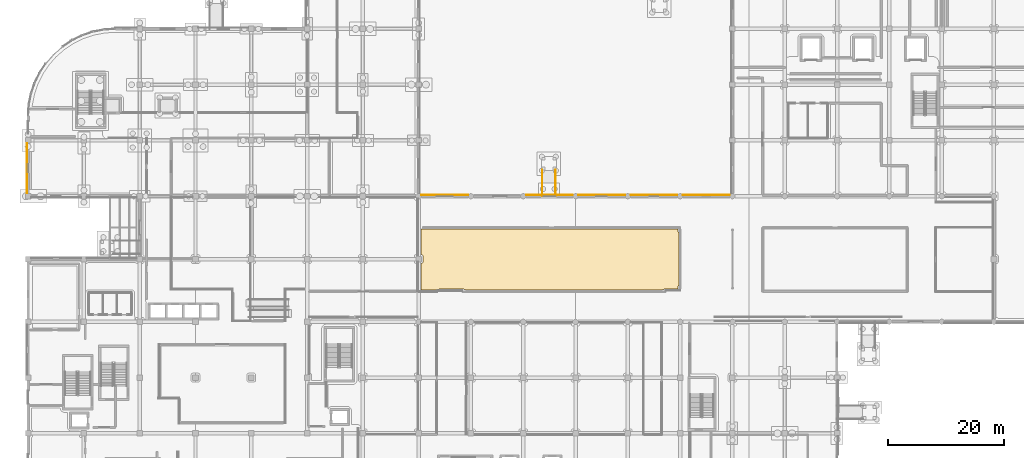
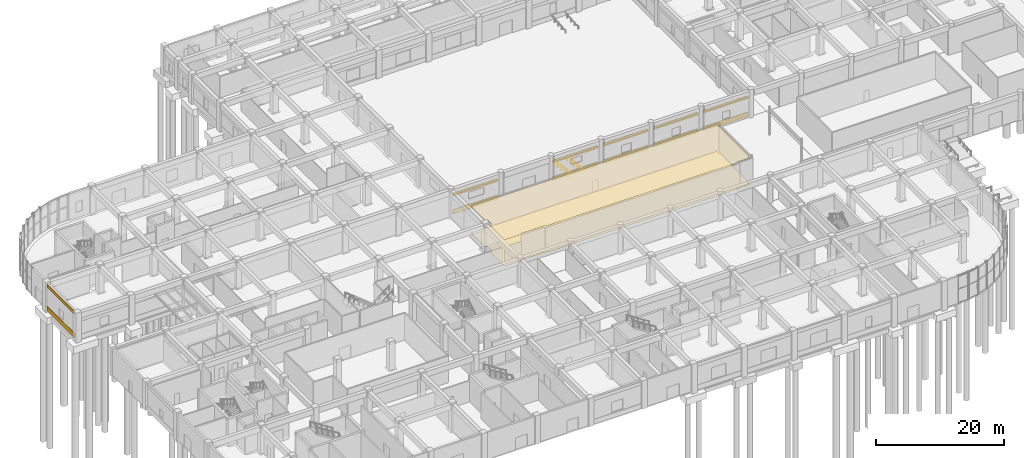
# One storey, part 60 of 74: 14 coverings, 2 railings.
"""IFC4 building model written with IfcOpenShell, lengths in metres."""

from ifc_helpers import new_model, si_unit, direction, frame, origin, origin_2d, place, context, subcontext, project, spatial, polyline, rectangle, circle, outline, extrude, material, layer, layer_set, type_object, element, save


model = new_model("IFC4")

# Units and contexts
model_context = context("Model", 3, precision=1e-05, world=origin(), true_north=direction((0.0, 1.0)))
body_context = subcontext(model_context, "Body", "Model", "MODEL_VIEW")
ifc_project = project(units=[si_unit("LENGTHUNIT", "METRE"), si_unit("AREAUNIT", "SQUARE_METRE"), si_unit("VOLUMEUNIT", "CUBIC_METRE"), si_unit("PLANEANGLEUNIT", "RADIAN"), si_unit("MASSUNIT", "GRAM", prefix="KILO")], contexts=[model_context])

# Site, building, storey
site_placement = place(None, origin())
site = spatial("IfcSite", under=ifc_project, at=site_placement, CompositionType="ELEMENT")
building_placement = place(site_placement, origin())
building = spatial("IfcBuilding", under=site, at=building_placement, Name="Cendralis Terraced Arcade", CompositionType="ELEMENT")
storey_placement = place(building_placement, origin())
storey = spatial("IfcBuildingStorey", under=building, at=storey_placement, Name="L00", CompositionType="ELEMENT", Elevation=0.0)

# Coverings
ifc_material_1 = material(Name="Gypsum plasterboard acoustic partition")
ifc_layer_1 = layer(ifc_material_1, 0.02490234375, Name="COV-CEIL-ACOU-25")
ifc_layer_set_1 = layer_set([ifc_layer_1], Name="Gypsum plasterboard acoustic partition")
covering_type_1 = type_object("IfcCoveringType", Name="COV-CEIL-ACOU-25", PredefinedType="CEILING", material=ifc_layer_set_1)
covering_1_placement = place(storey_placement, frame((0.0, 0.0, 5.06494140625)))
element("IfcCovering", 1, at=covering_1_placement, inside=storey, type_object=covering_type_1, Name="Acoustic Soffit Ceiling L00-032", PredefinedType="CEILING", context=body_context, shape_type="SweptSolid", body=[
    extrude(outline(polyline([(67.574951171875, 54.412841796875), (67.5810546875, 54.411376953125), (67.639892578125, 54.396484375), (67.64599609375, 54.395263671875), (67.651611328125, 54.393798828125), (67.65771484375, 54.392578125), (67.669189453125, 54.390380859375), (67.67529296875, 54.38916015625), (67.68115234375, 54.38818359375), (67.68701171875, 54.38720703125), (67.747314453125, 54.37841796875), (67.75341796875, 54.37744140625), (67.75927734375, 54.376708984375), (67.765380859375, 54.376220703125), (67.777099609375, 54.375), (67.783203125, 54.37451171875), (67.7890625, 54.3740234375), (67.795166015625, 54.37353515625), (67.85595703125, 54.37060546875), (67.85888671875, 54.37060546875), (67.862060546875, 54.370361328125), (67.864990234375, 54.370361328125), (67.870849609375, 54.3701171875), (67.8740234375, 54.3701171875), (67.876953125, 54.3701171875), (67.8798828125, 54.3701171875), (111.7919921875, 54.3701171875), (111.790283203125, 54.354248046875), (111.790283203125, 54.352294921875), (111.7900390625, 54.340087890625), (111.7900390625, 54.06005859375), (111.790283203125, 54.047607421875), (111.790283203125, 54.0458984375), (111.792724609375, 54.021484375), (111.793212890625, 54.019287109375), (111.7978515625, 53.995361328125), (111.79833984375, 53.993408203125), (111.805419921875, 53.969970703125), (111.80615234375, 53.968017578125), (111.8154296875, 53.945556640625), (111.81640625, 53.943603515625), (111.827880859375, 53.922119140625), (111.828857421875, 53.92041015625), (111.842529296875, 53.89990234375), (111.84375, 53.8984375), (111.859375, 53.87939453125), (111.860595703125, 53.8779296875), (111.8779296875, 53.860595703125), (111.87939453125, 53.859375), (111.8984375, 53.84375), (111.89990234375, 53.842529296875), (111.92041015625, 53.828857421875), (111.922119140625, 53.827880859375), (111.943603515625, 53.81640625), (111.945556640625, 53.8154296875), (111.968017578125, 53.80615234375), (111.969970703125, 53.805419921875), (111.969970703125, 53.805419921875), (111.969970703125, 44.594482421875), (111.969970703125, 44.594482421875), (111.968017578125, 44.593994140625), (111.945556640625, 44.58447265625), (111.943603515625, 44.58349609375), (111.922119140625, 44.572021484375), (111.92041015625, 44.571044921875), (111.89990234375, 44.557373046875), (111.8984375, 44.556396484375), (111.87939453125, 44.540771484375), (111.8779296875, 44.539306640625), (111.860595703125, 44.52197265625), (111.859375, 44.5205078125), (111.84375, 44.501708984375), (111.842529296875, 44.5), (111.828857421875, 44.4794921875), (111.827880859375, 44.47802734375), (111.81640625, 44.456298828125), (111.8154296875, 44.45458984375), (111.80615234375, 44.431884765625), (111.805419921875, 44.429931640625), (111.79833984375, 44.406494140625), (111.7978515625, 44.404541015625), (111.793212890625, 44.380615234375), (111.792724609375, 44.378662109375), (111.790283203125, 44.354248046875), (111.790283203125, 44.352294921875), (111.7900390625, 44.340087890625), (111.7900390625, 44.06005859375), (111.790283203125, 44.047607421875), (111.790283203125, 44.0458984375), (111.7919921875, 44.030029296875), (109.6806640625, 44.030029296875), (109.677490234375, 44.030029296875), (109.6748046875, 44.02978515625), (109.671630859375, 44.02978515625), (109.665771484375, 44.02978515625), (109.662841796875, 44.02978515625), (109.659912109375, 44.029541015625), (109.65673828125, 44.029296875), (109.5966796875, 44.026611328125), (109.590576171875, 44.026123046875), (109.584716796875, 44.025634765625), (109.57861328125, 44.025146484375), (109.567138671875, 44.024169921875), (109.56103515625, 44.0234375), (109.555419921875, 44.022705078125), (109.54931640625, 44.02197265625), (109.48974609375, 44.01318359375), (109.483642578125, 44.01220703125), (109.477783203125, 44.01123046875), (109.471923828125, 44.010009765625), (109.46044921875, 44.0078125), (109.45458984375, 44.006591796875), (109.448974609375, 44.00537109375), (109.443115234375, 44.00390625), (109.384521484375, 43.989501953125), (109.378662109375, 43.98779296875), (109.373046875, 43.986328125), (109.3671875, 43.984619140625), (109.35595703125, 43.981201171875), (109.35009765625, 43.9794921875), (109.344482421875, 43.977783203125), (109.3388671875, 43.975830078125), (109.281982421875, 43.955810546875), (109.2763671875, 43.95361328125), (109.27099609375, 43.951416015625), (109.265380859375, 43.94921875), (109.25439453125, 43.94482421875), (109.248779296875, 43.9423828125), (109.24365234375, 43.940185546875), (109.238037109375, 43.9375), (109.18359375, 43.912109375), (109.177978515625, 43.909423828125), (109.1728515625, 43.906982421875), (109.16748046875, 43.904052734375), (109.156982421875, 43.898681640625), (109.15185546875, 43.895751953125), (109.146728515625, 43.892822265625), (109.141357421875, 43.889892578125), (109.089599609375, 43.859130859375), (109.08447265625, 43.85595703125), (109.079345703125, 43.852783203125), (109.07421875, 43.849609375), (109.064697265625, 43.84326171875), (109.0595703125, 43.83984375), (109.0546875, 43.83642578125), (109.0498046875, 43.8330078125), (109.047119140625, 43.8310546875), (75.3544921875, 43.830078125), (75.350830078125, 43.832763671875), (75.345947265625, 43.836181640625), (75.3408203125, 43.839599609375), (75.3310546875, 43.84619140625), (75.325927734375, 43.849365234375), (75.321044921875, 43.8525390625), (75.31591796875, 43.855712890625), (75.263671875, 43.88720703125), (75.25830078125, 43.89013671875), (75.253173828125, 43.89306640625), (75.247802734375, 43.89599609375), (75.2373046875, 43.901611328125), (75.23193359375, 43.904296875), (75.226806640625, 43.906982421875), (75.22119140625, 43.90966796875), (75.166259765625, 43.935791015625), (75.16064453125, 43.938232421875), (75.1552734375, 43.940673828125), (75.149658203125, 43.943115234375), (75.138671875, 43.947509765625), (75.133056640625, 43.949951171875), (75.12744140625, 43.951904296875), (75.12158203125, 43.9541015625), (75.064453125, 43.974609375), (75.05859375, 43.976806640625), (75.052978515625, 43.978515625), (75.047119140625, 43.98046875), (75.035888671875, 43.98388671875), (75.030029296875, 43.985595703125), (75.0244140625, 43.987060546875), (75.018310546875, 43.988525390625), (74.95947265625, 44.00341796875), (74.953369140625, 44.0048828125), (74.94775390625, 44.006103515625), (74.941650390625, 44.00732421875), (74.93017578125, 44.009765625), (74.924072265625, 44.0107421875), (74.918212890625, 44.01171875), (74.912109375, 44.0126953125), (74.85205078125, 44.021728515625), (74.845947265625, 44.0224609375), (74.840087890625, 44.023193359375), (74.833984375, 44.02392578125), (74.822265625, 44.025146484375), (74.816162109375, 44.025634765625), (74.810302734375, 44.02587890625), (74.80419921875, 44.0263671875), (74.743408203125, 44.029296875), (74.740478515625, 44.029541015625), (74.7373046875, 44.029541015625), (74.734375, 44.02978515625), (74.728515625, 44.02978515625), (74.725341796875, 44.02978515625), (74.722412109375, 44.030029296875), (74.719482421875, 44.030029296875), (70.980712890625, 44.030029296875), (70.9775390625, 44.030029296875), (70.974609375, 44.02978515625), (70.9716796875, 44.02978515625), (70.9658203125, 44.02978515625), (70.962890625, 44.02978515625), (70.959716796875, 44.029541015625), (70.956787109375, 44.029296875), (70.896484375, 44.026611328125), (70.890625, 44.026123046875), (70.884765625, 44.025634765625), (70.878662109375, 44.025146484375), (70.8671875, 44.024169921875), (70.861083984375, 44.0234375), (70.855224609375, 44.022705078125), (70.849365234375, 44.02197265625), (70.789794921875, 44.01318359375), (70.78369140625, 44.01220703125), (70.77783203125, 44.01123046875), (70.77197265625, 44.010009765625), (70.760498046875, 44.0078125), (70.754638671875, 44.006591796875), (70.748779296875, 44.00537109375), (70.742919921875, 44.00390625), (70.6845703125, 43.989501953125), (70.6787109375, 43.98779296875), (70.673095703125, 43.986328125), (70.667236328125, 43.984619140625), (70.656005859375, 43.981201171875), (70.650146484375, 43.9794921875), (70.64453125, 43.977783203125), (70.638916015625, 43.975830078125), (70.58203125, 43.955810546875), (70.576416015625, 43.95361328125), (70.571044921875, 43.951416015625), (70.565185546875, 43.94921875), (70.554443359375, 43.94482421875), (70.548828125, 43.9423828125), (70.543701171875, 43.940185546875), (70.5380859375, 43.9375), (70.4833984375, 43.912109375), (70.47802734375, 43.909423828125), (70.472900390625, 43.906982421875), (70.46728515625, 43.904052734375), (70.45703125, 43.898681640625), (70.451904296875, 43.895751953125), (70.44677734375, 43.892822265625), (70.44140625, 43.889892578125), (70.3896484375, 43.859130859375), (70.384521484375, 43.85595703125), (70.37939453125, 43.852783203125), (70.374267578125, 43.849609375), (70.364501953125, 43.84326171875), (70.359619140625, 43.83984375), (70.354736328125, 43.83642578125), (70.349853515625, 43.8330078125), (70.34716796875, 43.830810546875), (67.570068359375, 43.830078125), (67.570068359375, 48.455078125), (67.675048828125, 48.455078125), (67.687255859375, 48.455322265625), (67.689208984375, 48.455322265625), (67.713623046875, 48.457763671875), (67.715576171875, 48.4580078125), (67.739501953125, 48.462890625), (67.74169921875, 48.46337890625), (67.764892578125, 48.470458984375), (67.766845703125, 48.47119140625), (67.78955078125, 48.48046875), (67.791259765625, 48.4814453125), (67.81298828125, 48.492919921875), (67.814697265625, 48.493896484375), (67.8349609375, 48.507568359375), (67.836669921875, 48.5087890625), (67.855712890625, 48.5244140625), (67.85693359375, 48.525634765625), (67.87451171875, 48.54296875), (67.875732421875, 48.54443359375), (67.891357421875, 48.5634765625), (67.892333984375, 48.56494140625), (67.906005859375, 48.58544921875), (67.906982421875, 48.5869140625), (67.918701171875, 48.608642578125), (67.91943359375, 48.610595703125), (67.928955078125, 48.633056640625), (67.929443359375, 48.635009765625), (67.9365234375, 48.658447265625), (67.93701171875, 48.660400390625), (67.94189453125, 48.684326171875), (67.942138671875, 48.686279296875), (67.944580078125, 48.710693359375), (67.944580078125, 48.712646484375), (67.945068359375, 48.72509765625), (67.945068359375, 49.675048828125), (67.944580078125, 49.687255859375), (67.944580078125, 49.689208984375), (67.942138671875, 49.713623046875), (67.94189453125, 49.715576171875), (67.93701171875, 49.739501953125), (67.9365234375, 49.74169921875), (67.929443359375, 49.764892578125), (67.928955078125, 49.766845703125), (67.91943359375, 49.78955078125), (67.918701171875, 49.791259765625), (67.906982421875, 49.81298828125), (67.906005859375, 49.814697265625), (67.892333984375, 49.8349609375), (67.891357421875, 49.836669921875), (67.875732421875, 49.855712890625), (67.87451171875, 49.85693359375), (67.85693359375, 49.87451171875), (67.855712890625, 49.875732421875), (67.836669921875, 49.891357421875), (67.8349609375, 49.892333984375), (67.814697265625, 49.906005859375), (67.81298828125, 49.906982421875), (67.791259765625, 49.918701171875), (67.78955078125, 49.91943359375), (67.766845703125, 49.928955078125), (67.764892578125, 49.929443359375), (67.74169921875, 49.9365234375), (67.739501953125, 49.93701171875), (67.715576171875, 49.94189453125), (67.713623046875, 49.942138671875), (67.689208984375, 49.944580078125), (67.687255859375, 49.944580078125), (67.675048828125, 49.945068359375), (67.570068359375, 49.945068359375), (67.570068359375, 54.414306640625), (67.574951171875, 54.412841796875)])), origin(), (0.0, 0.0, 1.0), 0.025146484375),
])
ifc_material_2 = material(Name="Precast concrete f'c 40 MPa", Category="concrete")
ifc_layer_2 = layer(ifc_material_2, 0.06494140625, Name="COV-CLAD-GRC-65")
ifc_layer_set_2 = layer_set([ifc_layer_2], Name="Precast concrete f'c 40 MPa")
covering_type_2 = type_object("IfcCoveringType", Name="COV-CLAD-GRC-65", PredefinedType="CLADDING", material=ifc_layer_set_2)
covering_2_placement = place(storey_placement, frame((-0.18994140625, 64.800048828125, 0.0), z_axis=(0.0, 0.0, 1.0), x_axis=(0.0, 1.0, 0.0)))
element("IfcCovering", 2, at=covering_2_placement, inside=storey, type_object=covering_type_2, Name="Banded Precast Stone Spandrel Cladding L00-023", PredefinedType="CLADDING", context=body_context, shape_type="SweptSolid", body=[
    extrude(rectangle(XDim=8.593994140625, YDim=0.06494140625, at=origin_2d()), origin(), (0.0, 0.0, 1.0), 0.89990234375),
])
covering_3_placement = place(storey_placement, frame((-0.18994140625, 64.800048828125, 4.469970703125), z_axis=(0.0, 0.0, 1.0), x_axis=(0.0, 1.0, 0.0)))
element("IfcCovering", 3, at=covering_3_placement, inside=storey, type_object=covering_type_2, Name="Banded Precast Stone Lintel Cladding L00-024", PredefinedType="CLADDING", context=body_context, shape_type="SweptSolid", body=[
    extrude(rectangle(XDim=8.593994140625, YDim=0.06494140625, at=origin_2d()), origin(), (0.0, 0.0, 1.0), 0.60009765625),
])
covering_4_placement = place(storey_placement, frame((71.699951171875, 60.18994140625, 0.0), z_axis=(0.0, 0.0, 1.0), x_axis=(1.0, 0.0, 0.0)))
element("IfcCovering", 4, at=covering_4_placement, inside=storey, type_object=covering_type_2, Name="Banded Precast Stone Spandrel Cladding L00-091", PredefinedType="CLADDING", context=body_context, shape_type="SweptSolid", body=[
    extrude(rectangle(XDim=8.0439453125, YDim=0.06494140625, at=origin_2d()), origin(), (0.0, 0.0, 1.0), 0.89990234375),
])
covering_5_placement = place(storey_placement, frame((71.699951171875, 60.18994140625, 3.409912109375), z_axis=(0.0, 0.0, 1.0), x_axis=(1.0, 0.0, 0.0)))
element("IfcCovering", 5, at=covering_5_placement, inside=storey, type_object=covering_type_2, Name="Banded Precast Stone Lintel Cladding L00-092", PredefinedType="CLADDING", context=body_context, shape_type="SweptSolid", body=[
    extrude(rectangle(XDim=8.0439453125, YDim=0.06494140625, at=origin_2d()), origin(), (0.0, 0.0, 1.0), 0.60009765625),
])
covering_6_placement = place(storey_placement, frame((89.699951171875, 60.18994140625, 0.0), z_axis=(0.0, 0.0, 1.0), x_axis=(1.0, 0.0, 0.0)))
element("IfcCovering", 6, at=covering_6_placement, inside=storey, type_object=covering_type_2, Name="Banded Precast Stone Spandrel Cladding L00-093", PredefinedType="CLADDING", context=body_context, shape_type="SweptSolid", body=[
    extrude(rectangle(XDim=8.0439453125, YDim=0.06494140625, at=origin_2d()), origin(), (0.0, 0.0, 1.0), 0.89990234375),
])
covering_7_placement = place(storey_placement, frame((89.699951171875, 60.18994140625, 3.409912109375), z_axis=(0.0, 0.0, 1.0), x_axis=(1.0, 0.0, 0.0)))
element("IfcCovering", 7, at=covering_7_placement, inside=storey, type_object=covering_type_2, Name="Banded Precast Stone Lintel Cladding L00-094", PredefinedType="CLADDING", context=body_context, shape_type="SweptSolid", body=[
    extrude(rectangle(XDim=8.0439453125, YDim=0.06494140625, at=origin_2d()), origin(), (0.0, 0.0, 1.0), 0.60009765625),
])
covering_8_placement = place(storey_placement, frame((98.699951171875, 60.18994140625, 0.0), z_axis=(0.0, 0.0, 1.0), x_axis=(1.0, 0.0, 0.0)))
element("IfcCovering", 8, at=covering_8_placement, inside=storey, type_object=covering_type_2, Name="Banded Precast Stone Spandrel Cladding L00-095", PredefinedType="CLADDING", context=body_context, shape_type="SweptSolid", body=[
    extrude(rectangle(XDim=8.0439453125, YDim=0.06494140625, at=origin_2d()), origin(), (0.0, 0.0, 1.0), 0.89990234375),
])
covering_9_placement = place(storey_placement, frame((98.699951171875, 60.18994140625, 3.409912109375), z_axis=(0.0, 0.0, 1.0), x_axis=(1.0, 0.0, 0.0)))
element("IfcCovering", 9, at=covering_9_placement, inside=storey, type_object=covering_type_2, Name="Banded Precast Stone Lintel Cladding L00-096", PredefinedType="CLADDING", context=body_context, shape_type="SweptSolid", body=[
    extrude(rectangle(XDim=8.0439453125, YDim=0.06494140625, at=origin_2d()), origin(), (0.0, 0.0, 1.0), 0.60009765625),
])
covering_10_placement = place(storey_placement, frame((107.699951171875, 60.18994140625, 0.0), z_axis=(0.0, 0.0, 1.0), x_axis=(1.0, 0.0, 0.0)))
element("IfcCovering", 10, at=covering_10_placement, inside=storey, type_object=covering_type_2, Name="Banded Precast Stone Spandrel Cladding L00-097", PredefinedType="CLADDING", context=body_context, shape_type="SweptSolid", body=[
    extrude(rectangle(XDim=8.0439453125, YDim=0.06494140625, at=origin_2d()), origin(), (0.0, 0.0, 1.0), 0.89990234375),
])
covering_11_placement = place(storey_placement, frame((107.699951171875, 60.18994140625, 3.409912109375), z_axis=(0.0, 0.0, 1.0), x_axis=(1.0, 0.0, 0.0)))
element("IfcCovering", 11, at=covering_11_placement, inside=storey, type_object=covering_type_2, Name="Banded Precast Stone Lintel Cladding L00-098", PredefinedType="CLADDING", context=body_context, shape_type="SweptSolid", body=[
    extrude(rectangle(XDim=8.0439453125, YDim=0.06494140625, at=origin_2d()), origin(), (0.0, 0.0, 1.0), 0.60009765625),
])
covering_12_placement = place(storey_placement, frame((116.699951171875, 60.18994140625, 0.0), z_axis=(0.0, 0.0, 1.0), x_axis=(1.0, 0.0, 0.0)))
element("IfcCovering", 12, at=covering_12_placement, inside=storey, type_object=covering_type_2, Name="Banded Precast Stone Spandrel Cladding L00-099", PredefinedType="CLADDING", context=body_context, shape_type="SweptSolid", body=[
    extrude(rectangle(XDim=8.0439453125, YDim=0.06494140625, at=origin_2d()), origin(), (0.0, 0.0, 1.0), 0.89990234375),
])
covering_13_placement = place(storey_placement, frame((116.699951171875, 60.18994140625, 3.409912109375), z_axis=(0.0, 0.0, 1.0), x_axis=(1.0, 0.0, 0.0)))
element("IfcCovering", 13, at=covering_13_placement, inside=storey, type_object=covering_type_2, Name="Banded Precast Stone Lintel Cladding L00-100", PredefinedType="CLADDING", context=body_context, shape_type="SweptSolid", body=[
    extrude(rectangle(XDim=8.0439453125, YDim=0.06494140625, at=origin_2d()), origin(), (0.0, 0.0, 1.0), 0.60009765625),
])
ifc_material_3 = material(Name="Polished Bogota limestone terrazzo flooring", Category="masonry")
ifc_layer_3 = layer(ifc_material_3, 0.030029296875, Name="COV-FLR-TERZ-30")
ifc_layer_set_3 = layer_set([ifc_layer_3], Name="Polished Bogota limestone terrazzo flooring")
covering_type_3 = type_object("IfcCoveringType", Name="COV-FLR-TERZ-30", PredefinedType="FLOORING", material=ifc_layer_set_3)
covering_14_placement = place(storey_placement, origin())
element("IfcCovering", 14, at=covering_14_placement, inside=storey, type_object=covering_type_3, Name="Interior Finish Flooring L00-032", PredefinedType="FLOORING", context=body_context, shape_type="SweptSolid", body=[
    extrude(outline(polyline([(67.574951171875, 54.412841796875), (67.5810546875, 54.411376953125), (67.639892578125, 54.396484375), (67.64599609375, 54.395263671875), (67.651611328125, 54.393798828125), (67.65771484375, 54.392578125), (67.669189453125, 54.390380859375), (67.67529296875, 54.38916015625), (67.68115234375, 54.38818359375), (67.68701171875, 54.38720703125), (67.747314453125, 54.37841796875), (67.75341796875, 54.37744140625), (67.75927734375, 54.376708984375), (67.765380859375, 54.376220703125), (67.777099609375, 54.375), (67.783203125, 54.37451171875), (67.7890625, 54.3740234375), (67.795166015625, 54.37353515625), (67.85595703125, 54.37060546875), (67.85888671875, 54.37060546875), (67.862060546875, 54.370361328125), (67.864990234375, 54.370361328125), (67.870849609375, 54.3701171875), (67.8740234375, 54.3701171875), (67.876953125, 54.3701171875), (67.8798828125, 54.3701171875), (111.7919921875, 54.3701171875), (111.790283203125, 54.354248046875), (111.790283203125, 54.352294921875), (111.7900390625, 54.340087890625), (111.7900390625, 54.06005859375), (111.790283203125, 54.047607421875), (111.790283203125, 54.0458984375), (111.792724609375, 54.021484375), (111.793212890625, 54.019287109375), (111.7978515625, 53.995361328125), (111.79833984375, 53.993408203125), (111.805419921875, 53.969970703125), (111.80615234375, 53.968017578125), (111.8154296875, 53.945556640625), (111.81640625, 53.943603515625), (111.827880859375, 53.922119140625), (111.828857421875, 53.92041015625), (111.842529296875, 53.89990234375), (111.84375, 53.8984375), (111.859375, 53.87939453125), (111.860595703125, 53.8779296875), (111.8779296875, 53.860595703125), (111.87939453125, 53.859375), (111.8984375, 53.84375), (111.89990234375, 53.842529296875), (111.92041015625, 53.828857421875), (111.922119140625, 53.827880859375), (111.943603515625, 53.81640625), (111.945556640625, 53.8154296875), (111.968017578125, 53.80615234375), (111.969970703125, 53.805419921875), (111.969970703125, 53.805419921875), (111.969970703125, 44.594482421875), (111.969970703125, 44.594482421875), (111.968017578125, 44.593994140625), (111.945556640625, 44.58447265625), (111.943603515625, 44.58349609375), (111.922119140625, 44.572021484375), (111.92041015625, 44.571044921875), (111.89990234375, 44.557373046875), (111.8984375, 44.556396484375), (111.87939453125, 44.540771484375), (111.8779296875, 44.539306640625), (111.860595703125, 44.52197265625), (111.859375, 44.5205078125), (111.84375, 44.501708984375), (111.842529296875, 44.5), (111.828857421875, 44.4794921875), (111.827880859375, 44.47802734375), (111.81640625, 44.456298828125), (111.8154296875, 44.45458984375), (111.80615234375, 44.431884765625), (111.805419921875, 44.429931640625), (111.79833984375, 44.406494140625), (111.7978515625, 44.404541015625), (111.793212890625, 44.380615234375), (111.792724609375, 44.378662109375), (111.790283203125, 44.354248046875), (111.790283203125, 44.352294921875), (111.7900390625, 44.340087890625), (111.7900390625, 44.06005859375), (111.790283203125, 44.047607421875), (111.790283203125, 44.0458984375), (111.7919921875, 44.030029296875), (109.6806640625, 44.030029296875), (109.677490234375, 44.030029296875), (109.6748046875, 44.02978515625), (109.671630859375, 44.02978515625), (109.665771484375, 44.02978515625), (109.662841796875, 44.02978515625), (109.659912109375, 44.029541015625), (109.65673828125, 44.029296875), (109.5966796875, 44.026611328125), (109.590576171875, 44.026123046875), (109.584716796875, 44.025634765625), (109.57861328125, 44.025146484375), (109.567138671875, 44.024169921875), (109.56103515625, 44.0234375), (109.555419921875, 44.022705078125), (109.54931640625, 44.02197265625), (109.48974609375, 44.01318359375), (109.483642578125, 44.01220703125), (109.477783203125, 44.01123046875), (109.471923828125, 44.010009765625), (109.46044921875, 44.0078125), (109.45458984375, 44.006591796875), (109.448974609375, 44.00537109375), (109.443115234375, 44.00390625), (109.384521484375, 43.989501953125), (109.378662109375, 43.98779296875), (109.373046875, 43.986328125), (109.3671875, 43.984619140625), (109.35595703125, 43.981201171875), (109.35009765625, 43.9794921875), (109.344482421875, 43.977783203125), (109.3388671875, 43.975830078125), (109.281982421875, 43.955810546875), (109.2763671875, 43.95361328125), (109.27099609375, 43.951416015625), (109.265380859375, 43.94921875), (109.25439453125, 43.94482421875), (109.248779296875, 43.9423828125), (109.24365234375, 43.940185546875), (109.238037109375, 43.9375), (109.18359375, 43.912109375), (109.177978515625, 43.909423828125), (109.1728515625, 43.906982421875), (109.16748046875, 43.904052734375), (109.156982421875, 43.898681640625), (109.15185546875, 43.895751953125), (109.146728515625, 43.892822265625), (109.141357421875, 43.889892578125), (109.089599609375, 43.859130859375), (109.08447265625, 43.85595703125), (109.079345703125, 43.852783203125), (109.07421875, 43.849609375), (109.064697265625, 43.84326171875), (109.0595703125, 43.83984375), (109.0546875, 43.83642578125), (109.0498046875, 43.8330078125), (109.047119140625, 43.8310546875), (75.3544921875, 43.830078125), (75.350830078125, 43.832763671875), (75.345947265625, 43.836181640625), (75.3408203125, 43.839599609375), (75.3310546875, 43.84619140625), (75.325927734375, 43.849365234375), (75.321044921875, 43.8525390625), (75.31591796875, 43.855712890625), (75.263671875, 43.88720703125), (75.25830078125, 43.89013671875), (75.253173828125, 43.89306640625), (75.247802734375, 43.89599609375), (75.2373046875, 43.901611328125), (75.23193359375, 43.904296875), (75.226806640625, 43.906982421875), (75.22119140625, 43.90966796875), (75.166259765625, 43.935791015625), (75.16064453125, 43.938232421875), (75.1552734375, 43.940673828125), (75.149658203125, 43.943115234375), (75.138671875, 43.947509765625), (75.133056640625, 43.949951171875), (75.12744140625, 43.951904296875), (75.12158203125, 43.9541015625), (75.064453125, 43.974609375), (75.05859375, 43.976806640625), (75.052978515625, 43.978515625), (75.047119140625, 43.98046875), (75.035888671875, 43.98388671875), (75.030029296875, 43.985595703125), (75.0244140625, 43.987060546875), (75.018310546875, 43.988525390625), (74.95947265625, 44.00341796875), (74.953369140625, 44.0048828125), (74.94775390625, 44.006103515625), (74.941650390625, 44.00732421875), (74.93017578125, 44.009765625), (74.924072265625, 44.0107421875), (74.918212890625, 44.01171875), (74.912109375, 44.0126953125), (74.85205078125, 44.021728515625), (74.845947265625, 44.0224609375), (74.840087890625, 44.023193359375), (74.833984375, 44.02392578125), (74.822265625, 44.025146484375), (74.816162109375, 44.025634765625), (74.810302734375, 44.02587890625), (74.80419921875, 44.0263671875), (74.743408203125, 44.029296875), (74.740478515625, 44.029541015625), (74.7373046875, 44.029541015625), (74.734375, 44.02978515625), (74.728515625, 44.02978515625), (74.725341796875, 44.02978515625), (74.722412109375, 44.030029296875), (74.719482421875, 44.030029296875), (70.980712890625, 44.030029296875), (70.9775390625, 44.030029296875), (70.974609375, 44.02978515625), (70.9716796875, 44.02978515625), (70.9658203125, 44.02978515625), (70.962890625, 44.02978515625), (70.959716796875, 44.029541015625), (70.956787109375, 44.029296875), (70.896484375, 44.026611328125), (70.890625, 44.026123046875), (70.884765625, 44.025634765625), (70.878662109375, 44.025146484375), (70.8671875, 44.024169921875), (70.861083984375, 44.0234375), (70.855224609375, 44.022705078125), (70.849365234375, 44.02197265625), (70.789794921875, 44.01318359375), (70.78369140625, 44.01220703125), (70.77783203125, 44.01123046875), (70.77197265625, 44.010009765625), (70.760498046875, 44.0078125), (70.754638671875, 44.006591796875), (70.748779296875, 44.00537109375), (70.742919921875, 44.00390625), (70.6845703125, 43.989501953125), (70.6787109375, 43.98779296875), (70.673095703125, 43.986328125), (70.667236328125, 43.984619140625), (70.656005859375, 43.981201171875), (70.650146484375, 43.9794921875), (70.64453125, 43.977783203125), (70.638916015625, 43.975830078125), (70.58203125, 43.955810546875), (70.576416015625, 43.95361328125), (70.571044921875, 43.951416015625), (70.565185546875, 43.94921875), (70.554443359375, 43.94482421875), (70.548828125, 43.9423828125), (70.543701171875, 43.940185546875), (70.5380859375, 43.9375), (70.4833984375, 43.912109375), (70.47802734375, 43.909423828125), (70.472900390625, 43.906982421875), (70.46728515625, 43.904052734375), (70.45703125, 43.898681640625), (70.451904296875, 43.895751953125), (70.44677734375, 43.892822265625), (70.44140625, 43.889892578125), (70.3896484375, 43.859130859375), (70.384521484375, 43.85595703125), (70.37939453125, 43.852783203125), (70.374267578125, 43.849609375), (70.364501953125, 43.84326171875), (70.359619140625, 43.83984375), (70.354736328125, 43.83642578125), (70.349853515625, 43.8330078125), (70.34716796875, 43.830810546875), (67.570068359375, 43.830078125), (67.570068359375, 48.455078125), (67.675048828125, 48.455078125), (67.687255859375, 48.455322265625), (67.689208984375, 48.455322265625), (67.713623046875, 48.457763671875), (67.715576171875, 48.4580078125), (67.739501953125, 48.462890625), (67.74169921875, 48.46337890625), (67.764892578125, 48.470458984375), (67.766845703125, 48.47119140625), (67.78955078125, 48.48046875), (67.791259765625, 48.4814453125), (67.81298828125, 48.492919921875), (67.814697265625, 48.493896484375), (67.8349609375, 48.507568359375), (67.836669921875, 48.5087890625), (67.855712890625, 48.5244140625), (67.85693359375, 48.525634765625), (67.87451171875, 48.54296875), (67.875732421875, 48.54443359375), (67.891357421875, 48.5634765625), (67.892333984375, 48.56494140625), (67.906005859375, 48.58544921875), (67.906982421875, 48.5869140625), (67.918701171875, 48.608642578125), (67.91943359375, 48.610595703125), (67.928955078125, 48.633056640625), (67.929443359375, 48.635009765625), (67.9365234375, 48.658447265625), (67.93701171875, 48.660400390625), (67.94189453125, 48.684326171875), (67.942138671875, 48.686279296875), (67.944580078125, 48.710693359375), (67.944580078125, 48.712646484375), (67.945068359375, 48.72509765625), (67.945068359375, 49.675048828125), (67.944580078125, 49.687255859375), (67.944580078125, 49.689208984375), (67.942138671875, 49.713623046875), (67.94189453125, 49.715576171875), (67.93701171875, 49.739501953125), (67.9365234375, 49.74169921875), (67.929443359375, 49.764892578125), (67.928955078125, 49.766845703125), (67.91943359375, 49.78955078125), (67.918701171875, 49.791259765625), (67.906982421875, 49.81298828125), (67.906005859375, 49.814697265625), (67.892333984375, 49.8349609375), (67.891357421875, 49.836669921875), (67.875732421875, 49.855712890625), (67.87451171875, 49.85693359375), (67.85693359375, 49.87451171875), (67.855712890625, 49.875732421875), (67.836669921875, 49.891357421875), (67.8349609375, 49.892333984375), (67.814697265625, 49.906005859375), (67.81298828125, 49.906982421875), (67.791259765625, 49.918701171875), (67.78955078125, 49.91943359375), (67.766845703125, 49.928955078125), (67.764892578125, 49.929443359375), (67.74169921875, 49.9365234375), (67.739501953125, 49.93701171875), (67.715576171875, 49.94189453125), (67.713623046875, 49.942138671875), (67.689208984375, 49.944580078125), (67.687255859375, 49.944580078125), (67.675048828125, 49.945068359375), (67.570068359375, 49.945068359375), (67.570068359375, 54.414306640625), (67.574951171875, 54.412841796875)])), origin(), (0.0, 0.0, 1.0), 0.030029296875),
])

# Railings
ifc_material_4 = material(Name="Brushed stainless steel AISI 316", Category="steel")
railing_type = type_object("IfcRailingType", Name="RL-RAMP-HAND-915", PredefinedType="HANDRAIL", material=ifc_material_4)
for number, where, name in (
    (15, (88.4599609375, 64.5, -0.360107421875), "Accessible Pedestrian Ramp Handrail RMP-04-1"),
    (16, (90.739990234375, 64.5, -0.360107421875), "Accessible Pedestrian Ramp Handrail RMP-04-2"),
):
    element("IfcRailing", number, at=place(storey_placement, frame(where)), inside=storey, type_object=railing_type, Name=name, PredefinedType="HANDRAIL", context=body_context, shape_type="SweptSolid", body=[
        extrude(circle(Radius=0.02392578125, at=origin_2d()), frame((0.0, 0.0, 0.89111328125), z_axis=(0.0, -0.996813386725, 0.079768866396), x_axis=(1.0, 0.0, 0.0)), (0.0, 0.0, 1.0), 4.514404296875),
        extrude(circle(Radius=0.02099609375, at=origin_2d()), origin(), (0.0, 0.0, 1.0), 0.866943359375),
        extrude(circle(Radius=0.02099609375, at=origin_2d()), frame((0.0, -1.125, 0.090087890625)), (0.0, 0.0, 1.0), 0.866943359375),
        extrude(circle(Radius=0.02099609375, at=origin_2d()), frame((0.0, -2.25, 0.18017578125)), (0.0, 0.0, 1.0), 0.866943359375),
        extrude(circle(Radius=0.02099609375, at=origin_2d()), frame((0.0, -3.375, 0.27001953125)), (0.0, 0.0, 1.0), 0.866943359375),
        extrude(circle(Radius=0.02099609375, at=origin_2d()), frame((0.0, -4.5, 0.360107421875)), (0.0, 0.0, 1.0), 0.866943359375),
    ])

save(model, "model.ifc")
